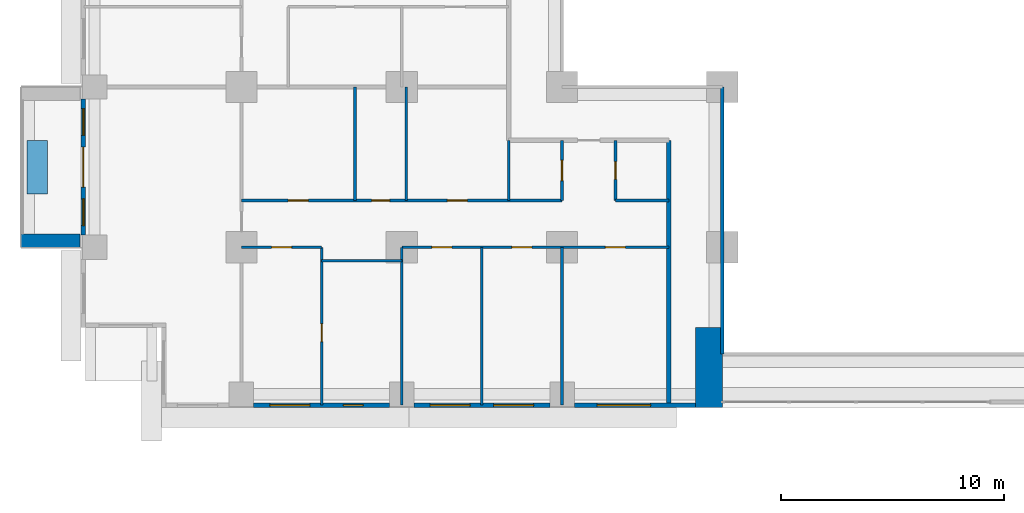
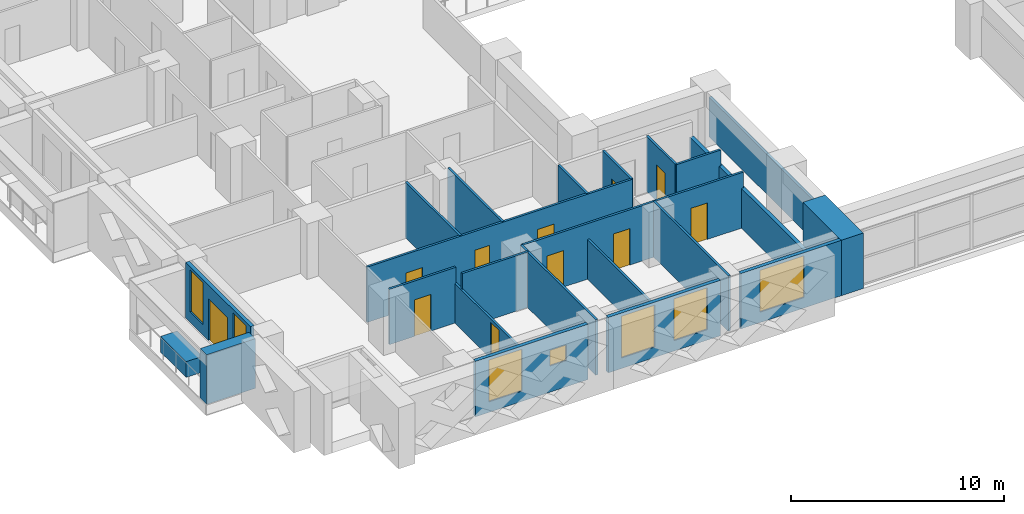
# One storey, part 6 of 16: 23 walls, 11 doors, 7 windows, 18 openings.
"""IFC4 building model written with IfcOpenShell, lengths in metres."""

from ifc_helpers import new_model, si_unit, direction, frame, frame_2d, origin, place, context, subcontext, project, spatial, rectangle, extrude, material, layer, layer_set, type_object, element, fill, save


model = new_model("IFC4")

# Units and contexts
model_context = context("Model", 3, precision=1e-05, world=origin(), true_north=direction((0.0, 1.0)))
body_context = subcontext(model_context, "Body", "Model", "MODEL_VIEW")
ifc_project = project(units=[si_unit("LENGTHUNIT", "METRE"), si_unit("AREAUNIT", "SQUARE_METRE"), si_unit("VOLUMEUNIT", "CUBIC_METRE"), si_unit("PLANEANGLEUNIT", "RADIAN"), si_unit("MASSUNIT", "GRAM", prefix="KILO")], contexts=[model_context])

# Site, building, storey
site_placement = place(None, origin())
site = spatial("IfcSite", under=ifc_project, at=site_placement, CompositionType="ELEMENT")
building_placement = place(site_placement, origin())
building = spatial("IfcBuilding", under=site, at=building_placement, Name="Saffron Iwan Residences", CompositionType="ELEMENT")
storey_placement = place(building_placement, frame((0.0, 0.0, 48.0)))
storey = spatial("IfcBuildingStorey", under=building, at=storey_placement, Name="L11", CompositionType="ELEMENT", Elevation=48.0)

# Walls
ifc_material_1 = material(Name="Fire-rated glazing", Category="glass")
ifc_layer_1 = layer(ifc_material_1, 0.14990234375)
ifc_layer_set_1 = layer_set([ifc_layer_1], Name="Fire-rated glazing")
wall_type_1 = type_object("IfcWallType", Name="Atrium glazed screen 150", PredefinedType="SOLIDWALL", material=ifc_layer_set_1)
wall_1_placement = place(storey_placement, frame((43.199951171875, 36.0, 0.0), z_axis=(0.0, 0.0, 1.0), x_axis=(0.0, 1.0, 0.0)))
element("IfcWall", 1, at=wall_1_placement, inside=storey, type_object=wall_type_1, Name="W-L11-SCREEN-v43.2-36", PredefinedType="SOLIDWALL", context=body_context, shape_type="SweptSolid", body=[
    extrude(rectangle(XDim=12.0, YDim=0.14990234375, at=frame_2d((6.0, 0.0))), origin(), (0.0, 0.0, 1.0), 2.280029296875),
])
ifc_material_2 = material(Name="Concrete C50/60 white painted", Category="concrete")
ifc_layer_2 = layer(ifc_material_2, 0.60009765625)
ifc_layer_set_2 = layer_set([ifc_layer_2], Name="Concrete C50/60 white painted")
wall_type_2 = type_object("IfcWallType", Name="BALCONY FIN 600", PredefinedType="SOLIDWALL", material=ifc_layer_set_2)
wall_2_placement = place(storey_placement, frame((14.35009765625, 41.10009765625, 0.0), z_axis=(0.0, 0.0, 1.0), x_axis=(-1.0, 0.0, 0.0)))
element("IfcWall", 2, at=wall_2_placement, inside=storey, type_object=wall_type_2, Name="Balcony fin L11 F8-1b", PredefinedType="SOLIDWALL", context=body_context, shape_type="SweptSolid", body=[
    extrude(rectangle(XDim=2.650146484375, YDim=0.60009765625, at=frame_2d((1.3251953125, 0.0))), origin(), (0.0, 0.0, 1.0), 2.85009765625),
])
ifc_material_3 = material(Name="Concrete C35/45 white painted", Category="concrete")
ifc_layer_3 = layer(ifc_material_3, 0.14990234375)
ifc_layer_set_3 = layer_set([ifc_layer_3], Name="Concrete C35/45 white painted")
wall_type_3 = type_object("IfcWallType", Name="BALCONY PLANTER", PredefinedType="SOLIDWALL", material=ifc_layer_set_3)
wall_3_placement = place(storey_placement, frame((12.425048828125, 45.60009765625, 0.0), z_axis=(0.0, 0.0, 1.0), x_axis=(0.0, -1.0, 0.0)))
element("IfcWall", 3, at=wall_3_placement, inside=storey, type_object=wall_type_3, Name="PLANTER L11 F8-1", PredefinedType="SOLIDWALL", context=body_context, shape_type="SweptSolid", body=[
    extrude(rectangle(XDim=2.400146484375, YDim=0.89990234375, at=frame_2d((1.2001953125, 0.0))), origin(), (0.0, 0.0, 1.0), 0.89990234375),
])

# Wall, openings, door, windows
ifc_material_4 = material(Name="Concrete C40/50", Category="concrete")
ifc_layer_4 = layer(ifc_material_4, 0.199951171875)
ifc_layer_set_4 = layer_set([ifc_layer_4], Name="Concrete C40/50")
wall_type_4 = type_object("IfcWallType", Name="EXTERNAL WALL 200", PredefinedType="SOLIDWALL", material=ifc_layer_set_4)
wall_4_placement = place(storey_placement, frame((14.5, 47.449951171875, 0.0), z_axis=(0.0, 0.0, 1.0), x_axis=(0.0, -1.0, 0.0)))
wall_4 = element("IfcWall", 4, at=wall_4_placement, inside=storey, type_object=wall_type_4, Name="External wall L11 F8.4", PredefinedType="SOLIDWALL", context=body_context, shape_type="SweptSolid", body=[
    extrude(rectangle(XDim=6.099853515625, YDim=0.199951171875, at=frame_2d((3.0498046875, 0.0))), origin(), (0.0, 0.0, 1.0), 3.179931640625),
])
opening_1_placement = place(wall_4_placement, frame((2.14990234375, 0.0, 0.0)))
opening_1 = element("IfcOpeningElement", 5, at=opening_1_placement, cuts=wall_4, Name="Opening BD1", PredefinedType="OPENING", context=body_context, shape_type="SweptSolid", body=[
    extrude(rectangle(XDim=1.800048828125, YDim=2.39990234375, at=frame_2d((0.89990234375, 1.199951171875))), frame((0.0, 0.10986328125, 0.0), z_axis=(0.0, -1.0, 0.0), x_axis=(1.0, 0.0, 0.0)), (0.0, 0.0, 1.0), 0.219970703125),
])
opening_2_placement = place(wall_4_placement, frame((0.425048828125, 0.0, 0.60009765625)))
opening_2 = element("IfcOpeningElement", 6, at=opening_2_placement, cuts=wall_4, Name="Opening W3", PredefinedType="OPENING", context=body_context, shape_type="SweptSolid", body=[
    extrude(rectangle(XDim=1.199951171875, YDim=2.39990234375, at=frame_2d((0.60009765625, 1.199951171875))), frame((0.0, 0.10986328125, 0.0), z_axis=(0.0, -1.0, 0.0), x_axis=(1.0, 0.0, 0.0)), (0.0, 0.0, 1.0), 0.219970703125),
])
opening_3_placement = place(wall_4_placement, frame((4.47509765625, 0.0, 0.60009765625)))
opening_3 = element("IfcOpeningElement", 7, at=opening_3_placement, cuts=wall_4, Name="Opening W3", PredefinedType="OPENING", context=body_context, shape_type="SweptSolid", body=[
    extrude(rectangle(XDim=1.199951171875, YDim=2.39990234375, at=frame_2d((0.60009765625, 1.199951171875))), frame((0.0, 0.10986328125, 0.0), z_axis=(0.0, -1.0, 0.0), x_axis=(1.0, 0.0, 0.0)), (0.0, 0.0, 1.0), 0.219970703125),
])
ifc_material_5 = material(Name="Clear glass, laminated double glazed", Category="glass")
door_type_1 = type_object("IfcDoorType", Name="BALCONY DOOR 1800 x 2400", OperationType="DOUBLE_DOOR_SLIDING", PredefinedType="DOOR", material=ifc_material_5)
door_1_placement = place(opening_1_placement, origin())
door_1 = element("IfcDoor", 8, at=door_1_placement, inside=storey, type_object=door_type_1, Name="Balcony door L11 F8.0", OperationType="DOUBLE_DOOR_SLIDING", OverallHeight=2.39990234375, OverallWidth=1.800048828125, PredefinedType="DOOR", context=body_context, shape_type="SweptSolid", body=[
    extrude(rectangle(XDim=1.800048828125, YDim=2.39990234375, at=frame_2d((0.89990234375, 1.199951171875))), frame((0.0, 0.02490234375, 0.0), z_axis=(0.0, -1.0, 0.0), x_axis=(1.0, 0.0, 0.0)), (0.0, 0.0, 1.0), 0.050048828125),
])
fill(opening_1, door_1)
window_type_1 = type_object("IfcWindowType", Name="WINDOW 1200 x 2400", PartitioningType="SINGLE_PANEL", PredefinedType="WINDOW", material=ifc_material_5)
window_1_placement = place(opening_2_placement, origin())
window_1 = element("IfcWindow", 9, at=window_1_placement, inside=storey, type_object=window_type_1, Name="Window L11 F8.1", OverallHeight=2.39990234375, OverallWidth=1.199951171875, PartitioningType="SINGLE_PANEL", PredefinedType="WINDOW", context=body_context, shape_type="SweptSolid", body=[
    extrude(rectangle(XDim=1.199951171875, YDim=2.39990234375, at=frame_2d((0.60009765625, 1.199951171875))), frame((0.0, 0.030029296875, 0.0), z_axis=(0.0, -1.0, 0.0), x_axis=(1.0, 0.0, 0.0)), (0.0, 0.0, 1.0), 0.06005859375),
])
fill(opening_2, window_1)
window_2_placement = place(opening_3_placement, origin())
window_2 = element("IfcWindow", 10, at=window_2_placement, inside=storey, type_object=window_type_1, Name="Window L11 F8.2", OverallHeight=2.39990234375, OverallWidth=1.199951171875, PartitioningType="SINGLE_PANEL", PredefinedType="WINDOW", context=body_context, shape_type="SweptSolid", body=[
    extrude(rectangle(XDim=1.199951171875, YDim=2.39990234375, at=frame_2d((0.60009765625, 1.199951171875))), frame((0.0, 0.030029296875, 0.0), z_axis=(0.0, -1.0, 0.0), x_axis=(1.0, 0.0, 0.0)), (0.0, 0.0, 1.0), 0.06005859375),
])
fill(opening_3, window_2)

# Wall, openings, windows
wall_5_placement = place(storey_placement, frame((22.14990234375, 33.699951171875, 0.0), z_axis=(0.0, 0.0, 1.0), x_axis=(1.0, 0.0, 0.0)))
wall_5 = element("IfcWall", 11, at=wall_5_placement, inside=storey, type_object=wall_type_4, Name="External wall L11 F11.1", PredefinedType="SOLIDWALL", context=body_context, shape_type="SweptSolid", body=[
    extrude(rectangle(XDim=6.10009765625, YDim=0.199951171875, at=frame_2d((3.050048828125, 0.0))), origin(), (0.0, 0.0, 1.0), 3.179931640625),
])
opening_4_placement = place(wall_5_placement, frame((0.72509765625, 0.0, 0.60009765625)))
opening_4 = element("IfcOpeningElement", 12, at=opening_4_placement, cuts=wall_5, Name="Opening W8", PredefinedType="OPENING", context=body_context, shape_type="SweptSolid", body=[
    extrude(rectangle(XDim=1.800048828125, YDim=2.39990234375, at=frame_2d((0.89990234375, 1.199951171875))), frame((0.0, 0.10986328125, 0.0), z_axis=(0.0, -1.0, 0.0), x_axis=(1.0, 0.0, 0.0)), (0.0, 0.0, 1.0), 0.219970703125),
])
opening_5_placement = place(wall_5_placement, frame((4.02490234375, 0.0, 1.5)))
opening_5 = element("IfcOpeningElement", 13, at=opening_5_placement, cuts=wall_5, Name="Opening W6", PredefinedType="OPENING", context=body_context, shape_type="SweptSolid", body=[
    extrude(rectangle(XDim=0.89990234375, YDim=0.89990234375, at=frame_2d((0.449951171875, 0.449951171875))), frame((0.0, 0.10986328125, 0.0), z_axis=(0.0, -1.0, 0.0), x_axis=(1.0, 0.0, 0.0)), (0.0, 0.0, 1.0), 0.219970703125),
])
window_type_2 = type_object("IfcWindowType", Name="WINDOW 1800 x 2400", PartitioningType="DOUBLE_PANEL_VERTICAL", PredefinedType="WINDOW", material=ifc_material_5)
window_3_placement = place(opening_4_placement, origin())
window_3 = element("IfcWindow", 14, at=window_3_placement, inside=storey, type_object=window_type_2, Name="Window L11 F11.0", OverallHeight=2.39990234375, OverallWidth=1.800048828125, PartitioningType="DOUBLE_PANEL_VERTICAL", PredefinedType="WINDOW", context=body_context, shape_type="SweptSolid", body=[
    extrude(rectangle(XDim=1.800048828125, YDim=2.39990234375, at=frame_2d((0.89990234375, 1.199951171875))), frame((0.0, 0.030029296875, 0.0), z_axis=(0.0, -1.0, 0.0), x_axis=(1.0, 0.0, 0.0)), (0.0, 0.0, 1.0), 0.06005859375),
])
fill(opening_4, window_3)
window_type_3 = type_object("IfcWindowType", Name="WINDOW 900 x 900 BATH", PartitioningType="SINGLE_PANEL", PredefinedType="WINDOW", material=ifc_material_5)
window_4_placement = place(opening_5_placement, origin())
window_4 = element("IfcWindow", 15, at=window_4_placement, inside=storey, type_object=window_type_3, Name="Window L11 F11.1", OverallHeight=0.89990234375, OverallWidth=0.89990234375, PartitioningType="SINGLE_PANEL", PredefinedType="WINDOW", context=body_context, shape_type="SweptSolid", body=[
    extrude(rectangle(XDim=0.89990234375, YDim=0.89990234375, at=frame_2d((0.449951171875, 0.449951171875))), frame((0.0, 0.030029296875, 0.0), z_axis=(0.0, -1.0, 0.0), x_axis=(1.0, 0.0, 0.0)), (0.0, 0.0, 1.0), 0.06005859375),
])
fill(opening_5, window_4)

wall_6_placement = place(storey_placement, frame((29.35009765625, 33.699951171875, 0.0), z_axis=(0.0, 0.0, 1.0), x_axis=(1.0, 0.0, 0.0)))
wall_6 = element("IfcWall", 16, at=wall_6_placement, inside=storey, type_object=wall_type_4, Name="External wall L11 F11.2", PredefinedType="SOLIDWALL", context=body_context, shape_type="SweptSolid", body=[
    extrude(rectangle(XDim=6.099853515625, YDim=0.199951171875, at=frame_2d((3.0498046875, 0.0))), origin(), (0.0, 0.0, 1.0), 3.179931640625),
])
opening_6_placement = place(wall_6_placement, frame((0.72509765625, 0.0, 0.60009765625)))
opening_6 = element("IfcOpeningElement", 17, at=opening_6_placement, cuts=wall_6, Name="Opening W8", PredefinedType="OPENING", context=body_context, shape_type="SweptSolid", body=[
    extrude(rectangle(XDim=1.800048828125, YDim=2.39990234375, at=frame_2d((0.89990234375, 1.199951171875))), frame((0.0, 0.10986328125, 0.0), z_axis=(0.0, -1.0, 0.0), x_axis=(1.0, 0.0, 0.0)), (0.0, 0.0, 1.0), 0.219970703125),
])
opening_7_placement = place(wall_6_placement, frame((3.574951171875, 0.0, 0.60009765625)))
opening_7 = element("IfcOpeningElement", 18, at=opening_7_placement, cuts=wall_6, Name="Opening W8", PredefinedType="OPENING", context=body_context, shape_type="SweptSolid", body=[
    extrude(rectangle(XDim=1.800048828125, YDim=2.39990234375, at=frame_2d((0.89990234375, 1.199951171875))), frame((0.0, 0.10986328125, 0.0), z_axis=(0.0, -1.0, 0.0), x_axis=(1.0, 0.0, 0.0)), (0.0, 0.0, 1.0), 0.219970703125),
])
window_5_placement = place(opening_6_placement, origin())
window_5 = element("IfcWindow", 19, at=window_5_placement, inside=storey, type_object=window_type_2, Name="Window L11 F11.0", OverallHeight=2.39990234375, OverallWidth=1.800048828125, PartitioningType="DOUBLE_PANEL_VERTICAL", PredefinedType="WINDOW", context=body_context, shape_type="SweptSolid", body=[
    extrude(rectangle(XDim=1.800048828125, YDim=2.39990234375, at=frame_2d((0.89990234375, 1.199951171875))), frame((0.0, 0.030029296875, 0.0), z_axis=(0.0, -1.0, 0.0), x_axis=(1.0, 0.0, 0.0)), (0.0, 0.0, 1.0), 0.06005859375),
])
fill(opening_6, window_5)
window_6_placement = place(opening_7_placement, origin())
window_6 = element("IfcWindow", 20, at=window_6_placement, inside=storey, type_object=window_type_2, Name="Window L11 F11.1", OverallHeight=2.39990234375, OverallWidth=1.800048828125, PartitioningType="DOUBLE_PANEL_VERTICAL", PredefinedType="WINDOW", context=body_context, shape_type="SweptSolid", body=[
    extrude(rectangle(XDim=1.800048828125, YDim=2.39990234375, at=frame_2d((0.89990234375, 1.199951171875))), frame((0.0, 0.030029296875, 0.0), z_axis=(0.0, -1.0, 0.0), x_axis=(1.0, 0.0, 0.0)), (0.0, 0.0, 1.0), 0.06005859375),
])
fill(opening_7, window_6)

# Wall, opening, window
wall_7_placement = place(storey_placement, frame((36.550048828125, 33.699951171875, 0.0), z_axis=(0.0, 0.0, 1.0), x_axis=(1.0, 0.0, 0.0)))
wall_7 = element("IfcWall", 21, at=wall_7_placement, inside=storey, type_object=wall_type_4, Name="External wall L11 F11.3", PredefinedType="SOLIDWALL", context=body_context, shape_type="SweptSolid", body=[
    extrude(rectangle(XDim=5.449951171875, YDim=0.199951171875, at=frame_2d((2.72509765625, 0.0))), origin(), (0.0, 0.0, 1.0), 3.179931640625),
])
opening_8_placement = place(wall_7_placement, frame((1.02490234375, 0.0, 0.60009765625)))
opening_8 = element("IfcOpeningElement", 22, at=opening_8_placement, cuts=wall_7, Name="Opening W1", PredefinedType="OPENING", context=body_context, shape_type="SweptSolid", body=[
    extrude(rectangle(XDim=2.39990234375, YDim=2.39990234375, at=frame_2d((1.199951171875, 1.199951171875))), frame((0.0, 0.10986328125, 0.0), z_axis=(0.0, -1.0, 0.0), x_axis=(1.0, 0.0, 0.0)), (0.0, 0.0, 1.0), 0.219970703125),
])
window_type_4 = type_object("IfcWindowType", Name="WINDOW 2400 x 2400", PartitioningType="DOUBLE_PANEL_VERTICAL", PredefinedType="WINDOW", material=ifc_material_5)
window_7_placement = place(opening_8_placement, origin())
window_7 = element("IfcWindow", 23, at=window_7_placement, inside=storey, type_object=window_type_4, Name="Window L11 F11.0", OverallHeight=2.39990234375, OverallWidth=2.39990234375, PartitioningType="DOUBLE_PANEL_VERTICAL", PredefinedType="WINDOW", context=body_context, shape_type="SweptSolid", body=[
    extrude(rectangle(XDim=2.39990234375, YDim=2.39990234375, at=frame_2d((1.199951171875, 1.199951171875))), frame((0.0, 0.030029296875, 0.0), z_axis=(0.0, -1.0, 0.0), x_axis=(1.0, 0.0, 0.0)), (0.0, 0.0, 1.0), 0.06005859375),
])
fill(opening_8, window_7)

# Wall
ifc_material_6 = material(Name="Gypsum board partition")
ifc_layer_5 = layer(ifc_material_6, 0.1201171875)
ifc_layer_set_5 = layer_set([ifc_layer_5], Name="Gypsum board partition")
wall_type_5 = type_object("IfcWallType", Name="Flat partition 120", PredefinedType="PARTITIONING", material=ifc_layer_set_5)
wall_8_placement = place(storey_placement, frame((25.199951171875, 40.199951171875, 0.0), z_axis=(0.0, 0.0, 1.0), x_axis=(1.0, 0.0, 0.0)))
element("IfcWall", 24, at=wall_8_placement, inside=storey, type_object=wall_type_5, Name="W-L11-PART-h40.2-25.2", PredefinedType="PARTITIONING", context=body_context, shape_type="SweptSolid", body=[
    extrude(rectangle(XDim=3.60009765625, YDim=0.1201171875, at=frame_2d((1.800048828125, 0.0))), origin(), (0.0, 0.0, 1.0), 3.179931640625),
])

# Wall, opening, door
wall_9_placement = place(storey_placement, frame((21.60009765625, 40.800048828125, 0.0), z_axis=(0.0, 0.0, 1.0), x_axis=(1.0, 0.0, 0.0)))
wall_9 = element("IfcWall", 25, at=wall_9_placement, inside=storey, type_object=wall_type_5, Name="W-L11-PART-h40.8-21.6", PredefinedType="PARTITIONING", context=body_context, shape_type="SweptSolid", body=[
    extrude(rectangle(XDim=3.599853515625, YDim=0.1201171875, at=frame_2d((1.7998046875, 0.0))), origin(), (0.0, 0.0, 1.0), 3.179931640625),
])
opening_9_placement = place(wall_9_placement, frame((1.35009765625, 0.0, 0.0)))
opening_9 = element("IfcOpeningElement", 26, at=opening_9_placement, cuts=wall_9, Name="Opening FD2", PredefinedType="OPENING", context=body_context, shape_type="SweptSolid", body=[
    extrude(rectangle(XDim=0.89990234375, YDim=2.10009765625, at=frame_2d((0.449951171875, 1.050048828125))), frame((0.0, 0.070068359375, 0.0), z_axis=(0.0, -1.0, 0.0), x_axis=(1.0, 0.0, 0.0)), (0.0, 0.0, 1.0), 0.14013671875),
])
ifc_material_7 = material(Name="Timber door", Category="wood")
door_type_2 = type_object("IfcDoorType", Name="Flat door 900", OperationType="NOTDEFINED", PredefinedType="DOOR", material=ifc_material_7)
door_2_placement = place(opening_9_placement, origin())
door_2 = element("IfcDoor", 27, at=door_2_placement, inside=storey, type_object=door_type_2, Name="Door L11-003", OperationType="SINGLE_SWING_LEFT", OverallHeight=2.10009765625, OverallWidth=0.89990234375, PredefinedType="DOOR", context=body_context, shape_type="SweptSolid", body=[
    extrude(rectangle(XDim=0.89990234375, YDim=2.10009765625, at=frame_2d((0.449951171875, 1.050048828125))), frame((0.0, 0.02490234375, 0.0), z_axis=(0.0, -1.0, 0.0), x_axis=(1.0, 0.0, 0.0)), (0.0, 0.0, 1.0), 0.050048828125),
])
fill(opening_9, door_2)

# Wall, openings, doors
wall_10_placement = place(storey_placement, frame((28.800048828125, 40.800048828125, 0.0), z_axis=(0.0, 0.0, 1.0), x_axis=(1.0, 0.0, 0.0)))
wall_10 = element("IfcWall", 28, at=wall_10_placement, inside=storey, type_object=wall_type_5, Name="W-L11-PART-h40.8-28.8", PredefinedType="PARTITIONING", context=body_context, shape_type="SweptSolid", body=[
    extrude(rectangle(XDim=12.0, YDim=0.1201171875, at=frame_2d((6.0, 0.0))), origin(), (0.0, 0.0, 1.0), 3.179931640625),
])
opening_10_placement = place(wall_10_placement, frame((1.35009765625, 0.0, 0.0)))
opening_10 = element("IfcOpeningElement", 29, at=opening_10_placement, cuts=wall_10, Name="Opening FD2", PredefinedType="OPENING", context=body_context, shape_type="SweptSolid", body=[
    extrude(rectangle(XDim=0.89990234375, YDim=2.10009765625, at=frame_2d((0.449951171875, 1.050048828125))), frame((0.0, 0.070068359375, 0.0), z_axis=(0.0, -1.0, 0.0), x_axis=(1.0, 0.0, 0.0)), (0.0, 0.0, 1.0), 0.14013671875),
])
opening_11_placement = place(wall_10_placement, frame((4.949951171875, 0.0, 0.0)))
opening_11 = element("IfcOpeningElement", 30, at=opening_11_placement, cuts=wall_10, Name="Opening FD2", PredefinedType="OPENING", context=body_context, shape_type="SweptSolid", body=[
    extrude(rectangle(XDim=0.89990234375, YDim=2.10009765625, at=frame_2d((0.449951171875, 1.050048828125))), frame((0.0, 0.070068359375, 0.0), z_axis=(0.0, -1.0, 0.0), x_axis=(1.0, 0.0, 0.0)), (0.0, 0.0, 1.0), 0.14013671875),
])
opening_12_placement = place(wall_10_placement, frame((9.14990234375, 0.0, 0.0)))
opening_12 = element("IfcOpeningElement", 31, at=opening_12_placement, cuts=wall_10, Name="Opening FD2", PredefinedType="OPENING", context=body_context, shape_type="SweptSolid", body=[
    extrude(rectangle(XDim=0.89990234375, YDim=2.10009765625, at=frame_2d((0.449951171875, 1.050048828125))), frame((0.0, 0.070068359375, 0.0), z_axis=(0.0, -1.0, 0.0), x_axis=(1.0, 0.0, 0.0)), (0.0, 0.0, 1.0), 0.14013671875),
])
door_3_placement = place(opening_10_placement, origin())
door_3 = element("IfcDoor", 32, at=door_3_placement, inside=storey, type_object=door_type_2, Name="Door L11-005", OperationType="SINGLE_SWING_RIGHT", OverallHeight=2.10009765625, OverallWidth=0.89990234375, PredefinedType="DOOR", context=body_context, shape_type="SweptSolid", body=[
    extrude(rectangle(XDim=0.89990234375, YDim=2.10009765625, at=frame_2d((0.449951171875, 1.050048828125))), frame((0.0, 0.02490234375, 0.0), z_axis=(0.0, -1.0, 0.0), x_axis=(1.0, 0.0, 0.0)), (0.0, 0.0, 1.0), 0.050048828125),
])
fill(opening_10, door_3)
door_4_placement = place(opening_11_placement, origin())
door_4 = element("IfcDoor", 33, at=door_4_placement, inside=storey, type_object=door_type_2, Name="Door L11-006", OperationType="SINGLE_SWING_LEFT", OverallHeight=2.10009765625, OverallWidth=0.89990234375, PredefinedType="DOOR", context=body_context, shape_type="SweptSolid", body=[
    extrude(rectangle(XDim=0.89990234375, YDim=2.10009765625, at=frame_2d((0.449951171875, 1.050048828125))), frame((0.0, 0.02490234375, 0.0), z_axis=(0.0, -1.0, 0.0), x_axis=(1.0, 0.0, 0.0)), (0.0, 0.0, 1.0), 0.050048828125),
])
fill(opening_11, door_4)
door_5_placement = place(opening_12_placement, origin())
door_5 = element("IfcDoor", 34, at=door_5_placement, inside=storey, type_object=door_type_2, Name="Door L11-007", OperationType="SINGLE_SWING_LEFT", OverallHeight=2.10009765625, OverallWidth=0.89990234375, PredefinedType="DOOR", context=body_context, shape_type="SweptSolid", body=[
    extrude(rectangle(XDim=0.89990234375, YDim=2.10009765625, at=frame_2d((0.449951171875, 1.050048828125))), frame((0.0, 0.02490234375, 0.0), z_axis=(0.0, -1.0, 0.0), x_axis=(1.0, 0.0, 0.0)), (0.0, 0.0, 1.0), 0.050048828125),
])
fill(opening_12, door_5)

wall_11_placement = place(storey_placement, frame((21.60009765625, 42.89990234375, 0.0), z_axis=(0.0, 0.0, 1.0), x_axis=(1.0, 0.0, 0.0)))
wall_11 = element("IfcWall", 35, at=wall_11_placement, inside=storey, type_object=wall_type_5, Name="W-L11-PART-h42.9-21.6", PredefinedType="PARTITIONING", context=body_context, shape_type="SweptSolid", body=[
    extrude(rectangle(XDim=14.39990234375, YDim=0.1201171875, at=frame_2d((7.199951171875, 0.0))), origin(), (0.0, 0.0, 1.0), 3.179931640625),
])
opening_13_placement = place(wall_11_placement, frame((2.10009765625, 0.0, 0.0)))
opening_13 = element("IfcOpeningElement", 36, at=opening_13_placement, cuts=wall_11, Name="Opening FD2", PredefinedType="OPENING", context=body_context, shape_type="SweptSolid", body=[
    extrude(rectangle(XDim=0.89990234375, YDim=2.10009765625, at=frame_2d((0.449951171875, 1.050048828125))), frame((0.0, 0.070068359375, 0.0), z_axis=(0.0, -1.0, 0.0), x_axis=(1.0, 0.0, 0.0)), (0.0, 0.0, 1.0), 0.14013671875),
])
opening_14_placement = place(wall_11_placement, frame((5.85009765625, 0.0, 0.0)))
opening_14 = element("IfcOpeningElement", 37, at=opening_14_placement, cuts=wall_11, Name="Opening FD3", PredefinedType="OPENING", context=body_context, shape_type="SweptSolid", body=[
    extrude(rectangle(XDim=0.800048828125, YDim=2.10009765625, at=frame_2d((0.39990234375, 1.050048828125))), frame((0.0, 0.070068359375, 0.0), z_axis=(0.0, -1.0, 0.0), x_axis=(1.0, 0.0, 0.0)), (0.0, 0.0, 1.0), 0.14013671875),
])
opening_15_placement = place(wall_11_placement, frame((9.25, 0.0, 0.0)))
opening_15 = element("IfcOpeningElement", 38, at=opening_15_placement, cuts=wall_11, Name="Opening FD2", PredefinedType="OPENING", context=body_context, shape_type="SweptSolid", body=[
    extrude(rectangle(XDim=0.89990234375, YDim=2.10009765625, at=frame_2d((0.449951171875, 1.050048828125))), frame((0.0, 0.070068359375, 0.0), z_axis=(0.0, -1.0, 0.0), x_axis=(1.0, 0.0, 0.0)), (0.0, 0.0, 1.0), 0.14013671875),
])
door_type_3 = type_object("IfcDoorType", Name="Bathroom door 800", OperationType="NOTDEFINED", PredefinedType="DOOR", material=ifc_material_7)
door_6_placement = place(opening_14_placement, origin())
door_6 = element("IfcDoor", 39, at=door_6_placement, inside=storey, type_object=door_type_3, Name="Door L11-009", OperationType="SINGLE_SWING_LEFT", OverallHeight=2.10009765625, OverallWidth=0.800048828125, PredefinedType="DOOR", context=body_context, shape_type="SweptSolid", body=[
    extrude(rectangle(XDim=0.800048828125, YDim=2.10009765625, at=frame_2d((0.39990234375, 1.050048828125))), frame((0.0, 0.02490234375, 0.0), z_axis=(0.0, -1.0, 0.0), x_axis=(1.0, 0.0, 0.0)), (0.0, 0.0, 1.0), 0.050048828125),
])
fill(opening_14, door_6)
door_7_placement = place(opening_13_placement, origin())
door_7 = element("IfcDoor", 40, at=door_7_placement, inside=storey, type_object=door_type_2, Name="Door L11-008", OperationType="SINGLE_SWING_RIGHT", OverallHeight=2.10009765625, OverallWidth=0.89990234375, PredefinedType="DOOR", context=body_context, shape_type="SweptSolid", body=[
    extrude(rectangle(XDim=0.89990234375, YDim=2.10009765625, at=frame_2d((0.449951171875, 1.050048828125))), frame((0.0, 0.02490234375, 0.0), z_axis=(0.0, -1.0, 0.0), x_axis=(1.0, 0.0, 0.0)), (0.0, 0.0, 1.0), 0.050048828125),
])
fill(opening_13, door_7)
door_8_placement = place(opening_15_placement, origin())
door_8 = element("IfcDoor", 41, at=door_8_placement, inside=storey, type_object=door_type_2, Name="Door L11-010", OperationType="SINGLE_SWING_LEFT", OverallHeight=2.10009765625, OverallWidth=0.89990234375, PredefinedType="DOOR", context=body_context, shape_type="SweptSolid", body=[
    extrude(rectangle(XDim=0.89990234375, YDim=2.10009765625, at=frame_2d((0.449951171875, 1.050048828125))), frame((0.0, 0.02490234375, 0.0), z_axis=(0.0, -1.0, 0.0), x_axis=(1.0, 0.0, 0.0)), (0.0, 0.0, 1.0), 0.050048828125),
])
fill(opening_15, door_8)

# Wall
wall_12_placement = place(storey_placement, frame((38.39990234375, 42.89990234375, 0.0), z_axis=(0.0, 0.0, 1.0), x_axis=(1.0, 0.0, 0.0)))
element("IfcWall", 42, at=wall_12_placement, inside=storey, type_object=wall_type_5, Name="W-L11-PART-h42.9-38.4", PredefinedType="PARTITIONING", context=body_context, shape_type="SweptSolid", body=[
    extrude(rectangle(XDim=2.400146484375, YDim=0.1201171875, at=frame_2d((1.2001953125, 0.0))), origin(), (0.0, 0.0, 1.0), 3.179931640625),
])

# Wall, opening, door
wall_13_placement = place(storey_placement, frame((25.199951171875, 33.72509765625, 0.0), z_axis=(0.0, 0.0, 1.0), x_axis=(0.0, 1.0, 0.0)))
wall_13 = element("IfcWall", 43, at=wall_13_placement, inside=storey, type_object=wall_type_5, Name="W-L11-PART-v25.2-33.725", PredefinedType="PARTITIONING", context=body_context, shape_type="SweptSolid", body=[
    extrude(rectangle(XDim=7.074951171875, YDim=0.1201171875, at=frame_2d((3.53759765625, 0.0))), origin(), (0.0, 0.0, 1.0), 2.280029296875),
])
opening_16_placement = place(wall_13_placement, frame((2.83740234375, 0.0, 0.0)))
opening_16 = element("IfcOpeningElement", 44, at=opening_16_placement, cuts=wall_13, Name="Opening FD3", PredefinedType="OPENING", context=body_context, shape_type="SweptSolid", body=[
    extrude(rectangle(XDim=0.800048828125, YDim=2.10009765625, at=frame_2d((0.39990234375, 1.050048828125))), frame((0.0, 0.070068359375, 0.0), z_axis=(0.0, -1.0, 0.0), x_axis=(1.0, 0.0, 0.0)), (0.0, 0.0, 1.0), 0.14013671875),
])
door_9_placement = place(opening_16_placement, origin())
door_9 = element("IfcDoor", 45, at=door_9_placement, inside=storey, type_object=door_type_3, Name="Door L11-004", OperationType="SINGLE_SWING_LEFT", OverallHeight=2.10009765625, OverallWidth=0.800048828125, PredefinedType="DOOR", context=body_context, shape_type="SweptSolid", body=[
    extrude(rectangle(XDim=0.800048828125, YDim=2.10009765625, at=frame_2d((0.39990234375, 1.050048828125))), frame((0.0, 0.02490234375, 0.0), z_axis=(0.0, -1.0, 0.0), x_axis=(1.0, 0.0, 0.0)), (0.0, 0.0, 1.0), 0.050048828125),
])
fill(opening_16, door_9)

# Walls
wall_14_placement = place(storey_placement, frame((26.699951171875, 42.89990234375, 0.0), z_axis=(0.0, 0.0, 1.0), x_axis=(0.0, 1.0, 0.0)))
element("IfcWall", 46, at=wall_14_placement, inside=storey, type_object=wall_type_5, Name="W-L11-PART-v26.7-42.9", PredefinedType="PARTITIONING", context=body_context, shape_type="SweptSolid", body=[
    extrude(rectangle(XDim=5.10009765625, YDim=0.1201171875, at=frame_2d((2.550048828125, 0.0))), origin(), (0.0, 0.0, 1.0), 3.179931640625),
])
wall_15_placement = place(storey_placement, frame((28.800048828125, 33.72509765625, 0.0), z_axis=(0.0, 0.0, 1.0), x_axis=(0.0, 1.0, 0.0)))
element("IfcWall", 47, at=wall_15_placement, inside=storey, type_object=wall_type_5, Name="W-L11-PART-v28.8-33.725", PredefinedType="PARTITIONING", context=body_context, shape_type="SweptSolid", body=[
    extrude(rectangle(XDim=7.074951171875, YDim=0.1201171875, at=frame_2d((3.53759765625, 0.0))), origin(), (0.0, 0.0, 1.0), 3.179931640625),
])
wall_16_placement = place(storey_placement, frame((29.0, 42.89990234375, 0.0), z_axis=(0.0, 0.0, 1.0), x_axis=(0.0, 1.0, 0.0)))
element("IfcWall", 48, at=wall_16_placement, inside=storey, type_object=wall_type_5, Name="W-L11-PART-v29-42.9", PredefinedType="PARTITIONING", context=body_context, shape_type="SweptSolid", body=[
    extrude(rectangle(XDim=5.10009765625, YDim=0.1201171875, at=frame_2d((2.550048828125, 0.0))), origin(), (0.0, 0.0, 1.0), 3.179931640625),
])
wall_17_placement = place(storey_placement, frame((32.39990234375, 33.72509765625, 0.0), z_axis=(0.0, 0.0, 1.0), x_axis=(0.0, 1.0, 0.0)))
element("IfcWall", 49, at=wall_17_placement, inside=storey, type_object=wall_type_5, Name="W-L11-PART-v32.4-33.725", PredefinedType="PARTITIONING", context=body_context, shape_type="SweptSolid", body=[
    extrude(rectangle(XDim=7.074951171875, YDim=0.1201171875, at=frame_2d((3.53759765625, 0.0))), origin(), (0.0, 0.0, 1.0), 2.280029296875),
])
wall_18_placement = place(storey_placement, frame((33.60009765625, 42.89990234375, 0.0), z_axis=(0.0, 0.0, 1.0), x_axis=(0.0, 1.0, 0.0)))
element("IfcWall", 50, at=wall_18_placement, inside=storey, type_object=wall_type_5, Name="W-L11-PART-v33.6-42.9", PredefinedType="PARTITIONING", context=body_context, shape_type="SweptSolid", body=[
    extrude(rectangle(XDim=2.7001953125, YDim=0.1201171875, at=frame_2d((1.35009765625, 0.0))), origin(), (0.0, 0.0, 1.0), 3.179931640625),
])
wall_19_placement = place(storey_placement, frame((36.0, 33.72509765625, 0.0), z_axis=(0.0, 0.0, 1.0), x_axis=(0.0, 1.0, 0.0)))
element("IfcWall", 51, at=wall_19_placement, inside=storey, type_object=wall_type_5, Name="W-L11-PART-v36-33.725", PredefinedType="PARTITIONING", context=body_context, shape_type="SweptSolid", body=[
    extrude(rectangle(XDim=7.074951171875, YDim=0.1201171875, at=frame_2d((3.53759765625, 0.0))), origin(), (0.0, 0.0, 1.0), 3.179931640625),
])

# Wall, opening, door
wall_20_placement = place(storey_placement, frame((36.0, 42.89990234375, 0.0), z_axis=(0.0, 0.0, 1.0), x_axis=(0.0, 1.0, 0.0)))
wall_20 = element("IfcWall", 52, at=wall_20_placement, inside=storey, type_object=wall_type_5, Name="W-L11-PART-v36-42.9", PredefinedType="PARTITIONING", context=body_context, shape_type="SweptSolid", body=[
    extrude(rectangle(XDim=2.7001953125, YDim=0.1201171875, at=frame_2d((1.35009765625, 0.0))), origin(), (0.0, 0.0, 1.0), 3.179931640625),
])
opening_17_placement = place(wall_20_placement, frame((0.89990234375, 0.0, 0.0)))
opening_17 = element("IfcOpeningElement", 53, at=opening_17_placement, cuts=wall_20, Name="Opening FD2", PredefinedType="OPENING", context=body_context, shape_type="SweptSolid", body=[
    extrude(rectangle(XDim=0.89990234375, YDim=2.10009765625, at=frame_2d((0.449951171875, 1.050048828125))), frame((0.0, 0.070068359375, 0.0), z_axis=(0.0, -1.0, 0.0), x_axis=(1.0, 0.0, 0.0)), (0.0, 0.0, 1.0), 0.14013671875),
])
door_10_placement = place(opening_17_placement, origin())
door_10 = element("IfcDoor", 54, at=door_10_placement, inside=storey, type_object=door_type_2, Name="Door L11-011", OperationType="SINGLE_SWING_RIGHT", OverallHeight=2.10009765625, OverallWidth=0.89990234375, PredefinedType="DOOR", context=body_context, shape_type="SweptSolid", body=[
    extrude(rectangle(XDim=0.89990234375, YDim=2.10009765625, at=frame_2d((0.449951171875, 1.050048828125))), frame((0.0, 0.02490234375, 0.0), z_axis=(0.0, -1.0, 0.0), x_axis=(1.0, 0.0, 0.0)), (0.0, 0.0, 1.0), 0.050048828125),
])
fill(opening_17, door_10)

wall_21_placement = place(storey_placement, frame((38.39990234375, 42.89990234375, 0.0), z_axis=(0.0, 0.0, 1.0), x_axis=(0.0, 1.0, 0.0)))
wall_21 = element("IfcWall", 55, at=wall_21_placement, inside=storey, type_object=wall_type_5, Name="W-L11-PART-v38.4-42.9", PredefinedType="PARTITIONING", context=body_context, shape_type="SweptSolid", body=[
    extrude(rectangle(XDim=2.7001953125, YDim=0.1201171875, at=frame_2d((1.35009765625, 0.0))), origin(), (0.0, 0.0, 1.0), 3.179931640625),
])
opening_18_placement = place(wall_21_placement, frame((0.949951171875, 0.0, 0.0)))
opening_18 = element("IfcOpeningElement", 56, at=opening_18_placement, cuts=wall_21, Name="Opening FD3", PredefinedType="OPENING", context=body_context, shape_type="SweptSolid", body=[
    extrude(rectangle(XDim=0.800048828125, YDim=2.10009765625, at=frame_2d((0.39990234375, 1.050048828125))), frame((0.0, 0.070068359375, 0.0), z_axis=(0.0, -1.0, 0.0), x_axis=(1.0, 0.0, 0.0)), (0.0, 0.0, 1.0), 0.14013671875),
])
door_11_placement = place(opening_18_placement, origin())
door_11 = element("IfcDoor", 57, at=door_11_placement, inside=storey, type_object=door_type_3, Name="Door L11-012", OperationType="SINGLE_SWING_LEFT", OverallHeight=2.10009765625, OverallWidth=0.800048828125, PredefinedType="DOOR", context=body_context, shape_type="SweptSolid", body=[
    extrude(rectangle(XDim=0.800048828125, YDim=2.10009765625, at=frame_2d((0.39990234375, 1.050048828125))), frame((0.0, 0.02490234375, 0.0), z_axis=(0.0, -1.0, 0.0), x_axis=(1.0, 0.0, 0.0)), (0.0, 0.0, 1.0), 0.050048828125),
])
fill(opening_18, door_11)

# Walls
ifc_material_8 = material(Name="Fire-rated gypsum board wall")
ifc_layer_6 = layer(ifc_material_8, 0.199951171875)
ifc_layer_set_6 = layer_set([ifc_layer_6], Name="Fire-rated gypsum board wall")
wall_type_6 = type_object("IfcWallType", Name="Gallery wall 200", PredefinedType="SOLIDWALL", material=ifc_layer_set_6)
wall_22_placement = place(storey_placement, frame((40.800048828125, 33.72509765625, 0.0), z_axis=(0.0, 0.0, 1.0), x_axis=(0.0, 1.0, 0.0)))
element("IfcWall", 58, at=wall_22_placement, inside=storey, type_object=wall_type_6, Name="W-L11-CORR-v40.8-33.725", PredefinedType="SOLIDWALL", context=body_context, shape_type="SweptSolid", body=[
    extrude(rectangle(XDim=11.875, YDim=0.199951171875, at=frame_2d((5.9375, 0.0))), origin(), (0.0, 0.0, 1.0), 2.280029296875),
])
ifc_material_9 = material(Name="Concrete C60/75", Category="concrete")
ifc_layer_7 = layer(ifc_material_9, 1.199951171875)
ifc_layer_set_7 = layer_set([ifc_layer_7], Name="Concrete C60/75")
wall_type_7 = type_object("IfcWallType", Name="WALL IWAN PIER 1200 C60/75 3180 HIGH", PredefinedType="SHEAR", material=ifc_layer_set_7)
wall_23_placement = place(storey_placement, frame((42.60009765625, 33.60009765625, 0.0), z_axis=(0.0, 0.0, 1.0), x_axis=(0.0, 1.0, 0.0)))
element("IfcWall", 59, at=wall_23_placement, inside=storey, type_object=wall_type_7, Name="IWAN PIER", PredefinedType="SHEAR", context=body_context, shape_type="SweptSolid", body=[
    extrude(rectangle(XDim=3.599853515625, YDim=1.199951171875, at=frame_2d((1.7998046875, 0.0))), origin(), (0.0, 0.0, 1.0), 3.179931640625),
])

save(model, "model.ifc")
